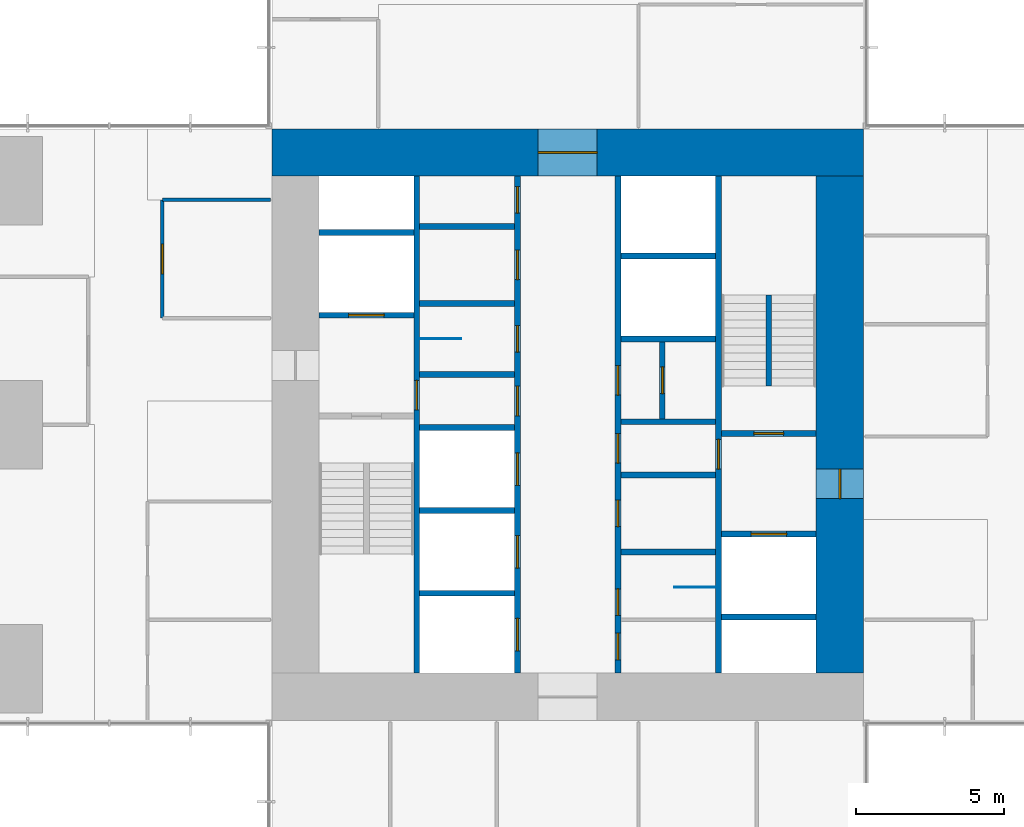
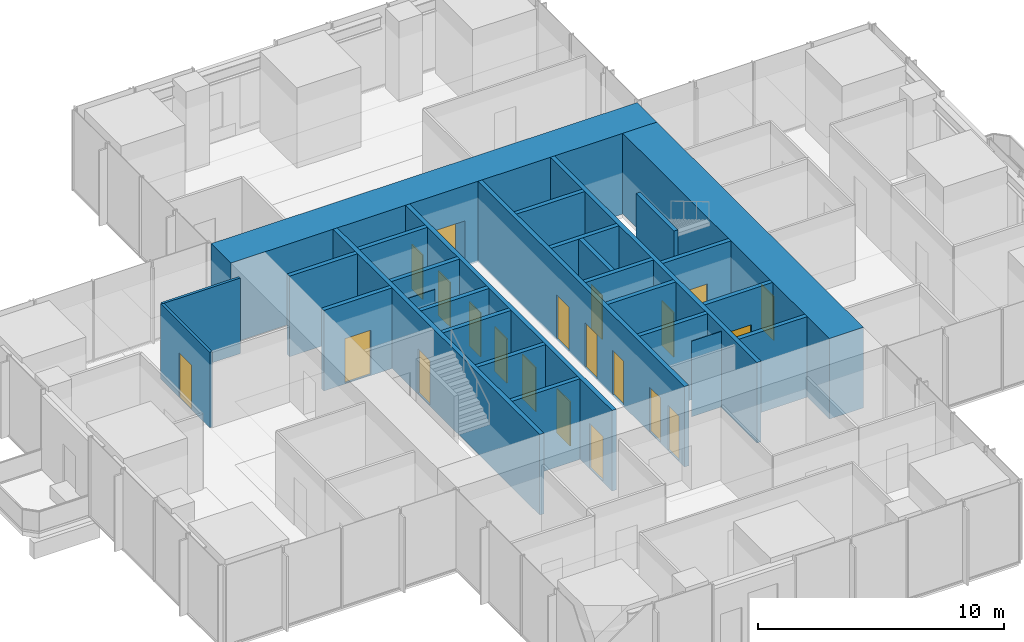
# One storey, part 9 of 13: 28 walls, 21 doors, 21 openings.
"""IFC4 building model written with IfcOpenShell, lengths in metres."""

from ifc_helpers import new_model, si_unit, direction, frame, frame_2d, origin, place, context, subcontext, project, spatial, rectangle, extrude, material, layer, layer_set, type_object, element, fill, save


model = new_model("IFC4")

# Units and contexts
model_context = context("Model", 3, precision=1e-05, world=origin(), true_north=direction((0.0, 1.0)))
body_context = subcontext(model_context, "Body", "Model", "MODEL_VIEW")
ifc_project = project(units=[si_unit("LENGTHUNIT", "METRE"), si_unit("AREAUNIT", "SQUARE_METRE"), si_unit("VOLUMEUNIT", "CUBIC_METRE"), si_unit("PLANEANGLEUNIT", "RADIAN"), si_unit("MASSUNIT", "GRAM", prefix="KILO")], contexts=[model_context])

# Site, building, storey
site_placement = place(None, origin())
site = spatial("IfcSite", under=ifc_project, at=site_placement, CompositionType="ELEMENT")
building_placement = place(site_placement, origin())
building = spatial("IfcBuilding", under=site, at=building_placement, Name="Svetlomir Tower", CompositionType="ELEMENT")
storey_placement = place(building_placement, frame((0.0, 0.0, 148.5)))
storey = spatial("IfcBuildingStorey", under=building, at=storey_placement, Name="L35", CompositionType="ELEMENT", Elevation=148.5)

# Wall, opening, door
ifc_material_1 = material(Name="Concrete C60/75", Category="concrete")
ifc_layer_1 = layer(ifc_material_1, 0.199951171875)
ifc_layer_set_1 = layer_set([ifc_layer_1], Name="Concrete C60/75")
wall_type_1 = type_object("IfcWallType", Name="CORE INNER WALL 200", PredefinedType="SHEAR", material=ifc_layer_set_1)
wall_1_placement = place(storey_placement, frame((15.89990234375, 12.60009765625, -0.050048828125), z_axis=(0.0, 0.0, 1.0), x_axis=(0.0, 1.0, 0.0)))
wall_1 = element("IfcWall", 1, at=wall_1_placement, inside=storey, type_object=wall_type_1, Name="Core inner wall 15.9 L35", PredefinedType="SHEAR", context=body_context, shape_type="SweptSolid", body=[
    extrude(rectangle(XDim=16.7998046875, YDim=0.199951171875, at=frame_2d((8.39990234375, 0.0))), origin(), (0.0, 0.0, 1.0), 4.0),
])
opening_1_placement = place(wall_1_placement, frame((8.89990234375, 0.0, 0.050048828125)))
opening_1 = element("IfcOpeningElement", 2, at=opening_1_placement, cuts=wall_1, Name="Opening DF", PredefinedType="OPENING", context=body_context, shape_type="SweptSolid", body=[
    extrude(rectangle(XDim=1.0, YDim=2.199951171875, at=frame_2d((0.5, 1.10009765625))), frame((0.0, 0.10986328125, 0.0), z_axis=(0.0, -1.0, 0.0), x_axis=(1.0, 0.0, 0.0)), (0.0, 0.0, 1.0), 0.219970703125),
])
ifc_material_2 = material(Name="Steel fire door", Category="steel")
door_type_1 = type_object("IfcDoorType", Name="DOOR DF 1000x2200", OperationType="SINGLE_SWING_LEFT", PredefinedType="DOOR", material=ifc_material_2)
door_1_placement = place(opening_1_placement, origin())
door_1 = element("IfcDoor", 3, at=door_1_placement, inside=storey, type_object=door_type_1, Name="Core corridor west door L35", OperationType="SINGLE_SWING_LEFT", OverallHeight=2.199951171875, OverallWidth=1.0, PredefinedType="DOOR", context=body_context, shape_type="SweptSolid", body=[
    extrude(rectangle(XDim=1.0, YDim=2.199951171875, at=frame_2d((0.5, 1.10009765625))), frame((0.0, 0.02490234375, 0.0), z_axis=(0.0, -1.0, 0.0), x_axis=(1.0, 0.0, 0.0)), (0.0, 0.0, 1.0), 0.050048828125),
])
fill(opening_1, door_1)

# Wall, openings, doors
wall_2_placement = place(storey_placement, frame((19.300048828125, 12.60009765625, -0.050048828125), z_axis=(0.0, 0.0, 1.0), x_axis=(0.0, 1.0, 0.0)))
wall_2 = element("IfcWall", 4, at=wall_2_placement, inside=storey, type_object=wall_type_1, Name="Core inner wall 19.3 L35", PredefinedType="SHEAR", context=body_context, shape_type="SweptSolid", body=[
    extrude(rectangle(XDim=16.7998046875, YDim=0.199951171875, at=frame_2d((8.39990234375, 0.0))), origin(), (0.0, 0.0, 1.0), 4.0),
])
opening_2_placement = place(wall_2_placement, frame((8.699951171875, 0.0, 0.050048828125)))
opening_2 = element("IfcOpeningElement", 5, at=opening_2_placement, cuts=wall_2, Name="Opening DC", PredefinedType="OPENING", context=body_context, shape_type="SweptSolid", body=[
    extrude(rectangle(XDim=1.0, YDim=2.199951171875, at=frame_2d((0.5, 1.10009765625))), frame((0.0, 0.10986328125, 0.0), z_axis=(0.0, -1.0, 0.0), x_axis=(1.0, 0.0, 0.0)), (0.0, 0.0, 1.0), 0.219970703125),
])
opening_3_placement = place(wall_2_placement, frame((10.85009765625, 0.0, 0.050048828125)))
opening_3 = element("IfcOpeningElement", 6, at=opening_3_placement, cuts=wall_2, Name="Opening DW", PredefinedType="OPENING", context=body_context, shape_type="SweptSolid", body=[
    extrude(rectangle(XDim=0.89990234375, YDim=2.199951171875, at=frame_2d((0.449951171875, 1.10009765625))), frame((0.0, 0.10986328125, 0.0), z_axis=(0.0, -1.0, 0.0), x_axis=(1.0, 0.0, 0.0)), (0.0, 0.0, 1.0), 0.219970703125),
])
opening_4_placement = place(wall_2_placement, frame((13.300048828125, 0.0, 0.050048828125)))
opening_4 = element("IfcOpeningElement", 7, at=opening_4_placement, cuts=wall_2, Name="Opening DC", PredefinedType="OPENING", context=body_context, shape_type="SweptSolid", body=[
    extrude(rectangle(XDim=1.0, YDim=2.199951171875, at=frame_2d((0.5, 1.10009765625))), frame((0.0, 0.10986328125, 0.0), z_axis=(0.0, -1.0, 0.0), x_axis=(1.0, 0.0, 0.0)), (0.0, 0.0, 1.0), 0.219970703125),
])
opening_5_placement = place(wall_2_placement, frame((15.550048828125, 0.0, 0.050048828125)))
opening_5 = element("IfcOpeningElement", 8, at=opening_5_placement, cuts=wall_2, Name="Opening DW", PredefinedType="OPENING", context=body_context, shape_type="SweptSolid", body=[
    extrude(rectangle(XDim=0.89990234375, YDim=2.199951171875, at=frame_2d((0.449951171875, 1.10009765625))), frame((0.0, 0.10986328125, 0.0), z_axis=(0.0, -1.0, 0.0), x_axis=(1.0, 0.0, 0.0)), (0.0, 0.0, 1.0), 0.219970703125),
])
opening_6_placement = place(wall_2_placement, frame((0.75, 0.0, 0.050048828125)))
opening_6 = element("IfcOpeningElement", 9, at=opening_6_placement, cuts=wall_2, Name="Opening LD", PredefinedType="OPENING", context=body_context, shape_type="SweptSolid", body=[
    extrude(rectangle(XDim=1.10009765625, YDim=2.199951171875, at=frame_2d((0.550048828125, 1.10009765625))), frame((0.0, 0.10986328125, 0.0), z_axis=(0.0, -1.0, 0.0), x_axis=(1.0, 0.0, 0.0)), (0.0, 0.0, 1.0), 0.219970703125),
])
opening_7_placement = place(wall_2_placement, frame((3.550048828125, 0.0, 0.050048828125)))
opening_7 = element("IfcOpeningElement", 10, at=opening_7_placement, cuts=wall_2, Name="Opening LD", PredefinedType="OPENING", context=body_context, shape_type="SweptSolid", body=[
    extrude(rectangle(XDim=1.10009765625, YDim=2.199951171875, at=frame_2d((0.550048828125, 1.10009765625))), frame((0.0, 0.10986328125, 0.0), z_axis=(0.0, -1.0, 0.0), x_axis=(1.0, 0.0, 0.0)), (0.0, 0.0, 1.0), 0.219970703125),
])
opening_8_placement = place(wall_2_placement, frame((6.35009765625, 0.0, 0.050048828125)))
opening_8 = element("IfcOpeningElement", 11, at=opening_8_placement, cuts=wall_2, Name="Opening LD", PredefinedType="OPENING", context=body_context, shape_type="SweptSolid", body=[
    extrude(rectangle(XDim=1.10009765625, YDim=2.199951171875, at=frame_2d((0.550048828125, 1.10009765625))), frame((0.0, 0.10986328125, 0.0), z_axis=(0.0, -1.0, 0.0), x_axis=(1.0, 0.0, 0.0)), (0.0, 0.0, 1.0), 0.219970703125),
])
ifc_material_3 = material(Name="Timber fire door", Category="wood")
door_type_2 = type_object("IfcDoorType", Name="DOOR DC 1000x2200", OperationType="SINGLE_SWING_LEFT", PredefinedType="DOOR", material=ifc_material_3)
door_2_placement = place(opening_2_placement, origin())
door_2 = element("IfcDoor", 12, at=door_2_placement, inside=storey, type_object=door_type_2, Name="Core corridor west lobby door L35", OperationType="SINGLE_SWING_RIGHT", OverallHeight=2.199951171875, OverallWidth=1.0, PredefinedType="DOOR", context=body_context, shape_type="SweptSolid", body=[
    extrude(rectangle(XDim=1.0, YDim=2.199951171875, at=frame_2d((0.5, 1.10009765625))), frame((0.0, 0.02490234375, 0.0), z_axis=(0.0, -1.0, 0.0), x_axis=(1.0, 0.0, 0.0)), (0.0, 0.0, 1.0), 0.050048828125),
])
fill(opening_2, door_2)
door_3_placement = place(opening_4_placement, origin())
door_3 = element("IfcDoor", 13, at=door_3_placement, inside=storey, type_object=door_type_2, Name="Accessible WC door L35", OperationType="SINGLE_SWING_LEFT", OverallHeight=2.199951171875, OverallWidth=1.0, PredefinedType="DOOR", context=body_context, shape_type="SweptSolid", body=[
    extrude(rectangle(XDim=1.0, YDim=2.199951171875, at=frame_2d((0.5, 1.10009765625))), frame((0.0, 0.02490234375, 0.0), z_axis=(0.0, -1.0, 0.0), x_axis=(1.0, 0.0, 0.0)), (0.0, 0.0, 1.0), 0.050048828125),
])
fill(opening_4, door_3)
ifc_material_4 = material(Name="Timber fire door", Category="wood")
door_type_3 = type_object("IfcDoorType", Name="DOOR DW 900x2200", OperationType="SINGLE_SWING_LEFT", PredefinedType="DOOR", material=ifc_material_4)
door_4_placement = place(opening_3_placement, origin())
door_4 = element("IfcDoor", 14, at=door_4_placement, inside=storey, type_object=door_type_3, Name="Female WC door L35", OperationType="SINGLE_SWING_RIGHT", OverallHeight=2.199951171875, OverallWidth=0.89990234375, PredefinedType="DOOR", context=body_context, shape_type="SweptSolid", body=[
    extrude(rectangle(XDim=0.89990234375, YDim=2.199951171875, at=frame_2d((0.449951171875, 1.10009765625))), frame((0.0, 0.02490234375, 0.0), z_axis=(0.0, -1.0, 0.0), x_axis=(1.0, 0.0, 0.0)), (0.0, 0.0, 1.0), 0.050048828125),
])
fill(opening_3, door_4)
door_5_placement = place(opening_5_placement, origin())
door_5 = element("IfcDoor", 15, at=door_5_placement, inside=storey, type_object=door_type_3, Name="IT floor distributor room door L35", OperationType="SINGLE_SWING_RIGHT", OverallHeight=2.199951171875, OverallWidth=0.89990234375, PredefinedType="DOOR", context=body_context, shape_type="SweptSolid", body=[
    extrude(rectangle(XDim=0.89990234375, YDim=2.199951171875, at=frame_2d((0.449951171875, 1.10009765625))), frame((0.0, 0.02490234375, 0.0), z_axis=(0.0, -1.0, 0.0), x_axis=(1.0, 0.0, 0.0)), (0.0, 0.0, 1.0), 0.050048828125),
])
fill(opening_5, door_5)
ifc_material_5 = material(Name="Stainless steel landing door", Category="steel")
door_type_4 = type_object("IfcDoorType", Name="LIFT LANDING DOOR LD 1100x2200", OperationType="DOUBLE_DOOR_SLIDING", PredefinedType="DOOR", material=ifc_material_5)
door_6_placement = place(opening_6_placement, origin())
door_6 = element("IfcDoor", 16, at=door_6_placement, inside=storey, type_object=door_type_4, Name="Landing door lift LB1 L35", OperationType="DOUBLE_DOOR_SLIDING", OverallHeight=2.199951171875, OverallWidth=1.10009765625, PredefinedType="DOOR", context=body_context, shape_type="SweptSolid", body=[
    extrude(rectangle(XDim=1.10009765625, YDim=2.199951171875, at=frame_2d((0.550048828125, 1.10009765625))), frame((0.0, 0.02490234375, 0.0), z_axis=(0.0, -1.0, 0.0), x_axis=(1.0, 0.0, 0.0)), (0.0, 0.0, 1.0), 0.050048828125),
])
fill(opening_6, door_6)
door_7_placement = place(opening_7_placement, origin())
door_7 = element("IfcDoor", 17, at=door_7_placement, inside=storey, type_object=door_type_4, Name="Landing door lift LB2 L35", OperationType="DOUBLE_DOOR_SLIDING", OverallHeight=2.199951171875, OverallWidth=1.10009765625, PredefinedType="DOOR", context=body_context, shape_type="SweptSolid", body=[
    extrude(rectangle(XDim=1.10009765625, YDim=2.199951171875, at=frame_2d((0.550048828125, 1.10009765625))), frame((0.0, 0.02490234375, 0.0), z_axis=(0.0, -1.0, 0.0), x_axis=(1.0, 0.0, 0.0)), (0.0, 0.0, 1.0), 0.050048828125),
])
fill(opening_7, door_7)
door_8_placement = place(opening_8_placement, origin())
door_8 = element("IfcDoor", 18, at=door_8_placement, inside=storey, type_object=door_type_4, Name="Landing door lift LB3 L35", OperationType="DOUBLE_DOOR_SLIDING", OverallHeight=2.199951171875, OverallWidth=1.10009765625, PredefinedType="DOOR", context=body_context, shape_type="SweptSolid", body=[
    extrude(rectangle(XDim=1.10009765625, YDim=2.199951171875, at=frame_2d((0.550048828125, 1.10009765625))), frame((0.0, 0.02490234375, 0.0), z_axis=(0.0, -1.0, 0.0), x_axis=(1.0, 0.0, 0.0)), (0.0, 0.0, 1.0), 0.050048828125),
])
fill(opening_8, door_8)

wall_3_placement = place(storey_placement, frame((22.699951171875, 12.60009765625, -0.050048828125), z_axis=(0.0, 0.0, 1.0), x_axis=(0.0, 1.0, 0.0)))
wall_3 = element("IfcWall", 19, at=wall_3_placement, inside=storey, type_object=wall_type_1, Name="Core inner wall 22.7 L35", PredefinedType="SHEAR", context=body_context, shape_type="SweptSolid", body=[
    extrude(rectangle(XDim=16.7998046875, YDim=0.199951171875, at=frame_2d((8.39990234375, 0.0))), origin(), (0.0, 0.0, 1.0), 4.0),
])
opening_9_placement = place(wall_3_placement, frame((0.449951171875, 0.0, 0.050048828125)))
opening_9 = element("IfcOpeningElement", 20, at=opening_9_placement, cuts=wall_3, Name="Opening DW", PredefinedType="OPENING", context=body_context, shape_type="SweptSolid", body=[
    extrude(rectangle(XDim=0.89990234375, YDim=2.199951171875, at=frame_2d((0.449951171875, 1.10009765625))), frame((0.0, 0.10986328125, 0.0), z_axis=(0.0, -1.0, 0.0), x_axis=(1.0, 0.0, 0.0)), (0.0, 0.0, 1.0), 0.219970703125),
])
opening_10_placement = place(wall_3_placement, frame((7.10009765625, 0.0, 0.050048828125)))
opening_10 = element("IfcOpeningElement", 21, at=opening_10_placement, cuts=wall_3, Name="Opening DC", PredefinedType="OPENING", context=body_context, shape_type="SweptSolid", body=[
    extrude(rectangle(XDim=1.0, YDim=2.199951171875, at=frame_2d((0.5, 1.10009765625))), frame((0.0, 0.10986328125, 0.0), z_axis=(0.0, -1.0, 0.0), x_axis=(1.0, 0.0, 0.0)), (0.0, 0.0, 1.0), 0.219970703125),
])
opening_11_placement = place(wall_3_placement, frame((1.949951171875, 0.0, 0.050048828125)))
opening_11 = element("IfcOpeningElement", 22, at=opening_11_placement, cuts=wall_3, Name="Opening DW", PredefinedType="OPENING", context=body_context, shape_type="SweptSolid", body=[
    extrude(rectangle(XDim=0.89990234375, YDim=2.199951171875, at=frame_2d((0.449951171875, 1.10009765625))), frame((0.0, 0.10986328125, 0.0), z_axis=(0.0, -1.0, 0.0), x_axis=(1.0, 0.0, 0.0)), (0.0, 0.0, 1.0), 0.219970703125),
])
opening_12_placement = place(wall_3_placement, frame((4.949951171875, 0.0, 0.050048828125)))
opening_12 = element("IfcOpeningElement", 23, at=opening_12_placement, cuts=wall_3, Name="Opening DW", PredefinedType="OPENING", context=body_context, shape_type="SweptSolid", body=[
    extrude(rectangle(XDim=0.89990234375, YDim=2.199951171875, at=frame_2d((0.449951171875, 1.10009765625))), frame((0.0, 0.10986328125, 0.0), z_axis=(0.0, -1.0, 0.0), x_axis=(1.0, 0.0, 0.0)), (0.0, 0.0, 1.0), 0.219970703125),
])
opening_13_placement = place(wall_3_placement, frame((9.39990234375, 0.0, 0.050048828125)))
opening_13 = element("IfcOpeningElement", 24, at=opening_13_placement, cuts=wall_3, Name="Opening DC", PredefinedType="OPENING", context=body_context, shape_type="SweptSolid", body=[
    extrude(rectangle(XDim=1.0, YDim=2.199951171875, at=frame_2d((0.5, 1.10009765625))), frame((0.0, 0.10986328125, 0.0), z_axis=(0.0, -1.0, 0.0), x_axis=(1.0, 0.0, 0.0)), (0.0, 0.0, 1.0), 0.219970703125),
])
door_9_placement = place(opening_10_placement, origin())
door_9 = element("IfcDoor", 25, at=door_9_placement, inside=storey, type_object=door_type_2, Name="Core corridor east lobby door L35", OperationType="SINGLE_SWING_LEFT", OverallHeight=2.199951171875, OverallWidth=1.0, PredefinedType="DOOR", context=body_context, shape_type="SweptSolid", body=[
    extrude(rectangle(XDim=1.0, YDim=2.199951171875, at=frame_2d((0.5, 1.10009765625))), frame((0.0, 0.02490234375, 0.0), z_axis=(0.0, -1.0, 0.0), x_axis=(1.0, 0.0, 0.0)), (0.0, 0.0, 1.0), 0.050048828125),
])
fill(opening_10, door_9)
door_10_placement = place(opening_13_placement, origin())
door_10 = element("IfcDoor", 26, at=door_10_placement, inside=storey, type_object=door_type_2, Name="Converted shaft BANK-E1 room door L35", OperationType="SINGLE_SWING_LEFT", OverallHeight=2.199951171875, OverallWidth=1.0, PredefinedType="DOOR", context=body_context, shape_type="SweptSolid", body=[
    extrude(rectangle(XDim=1.0, YDim=2.199951171875, at=frame_2d((0.5, 1.10009765625))), frame((0.0, 0.02490234375, 0.0), z_axis=(0.0, -1.0, 0.0), x_axis=(1.0, 0.0, 0.0)), (0.0, 0.0, 1.0), 0.050048828125),
])
fill(opening_13, door_10)
door_11_placement = place(opening_9_placement, origin())
door_11 = element("IfcDoor", 27, at=door_11_placement, inside=storey, type_object=door_type_3, Name="Floor store door L35", OperationType="SINGLE_SWING_LEFT", OverallHeight=2.199951171875, OverallWidth=0.89990234375, PredefinedType="DOOR", context=body_context, shape_type="SweptSolid", body=[
    extrude(rectangle(XDim=0.89990234375, YDim=2.199951171875, at=frame_2d((0.449951171875, 1.10009765625))), frame((0.0, 0.02490234375, 0.0), z_axis=(0.0, -1.0, 0.0), x_axis=(1.0, 0.0, 0.0)), (0.0, 0.0, 1.0), 0.050048828125),
])
fill(opening_9, door_11)
door_12_placement = place(opening_11_placement, origin())
door_12 = element("IfcDoor", 28, at=door_12_placement, inside=storey, type_object=door_type_3, Name="Male WC door L35", OperationType="SINGLE_SWING_LEFT", OverallHeight=2.199951171875, OverallWidth=0.89990234375, PredefinedType="DOOR", context=body_context, shape_type="SweptSolid", body=[
    extrude(rectangle(XDim=0.89990234375, YDim=2.199951171875, at=frame_2d((0.449951171875, 1.10009765625))), frame((0.0, 0.02490234375, 0.0), z_axis=(0.0, -1.0, 0.0), x_axis=(1.0, 0.0, 0.0)), (0.0, 0.0, 1.0), 0.050048828125),
])
fill(opening_11, door_12)
door_13_placement = place(opening_12_placement, origin())
door_13 = element("IfcDoor", 29, at=door_13_placement, inside=storey, type_object=door_type_3, Name="Comms room door L35", OperationType="SINGLE_SWING_RIGHT", OverallHeight=2.199951171875, OverallWidth=0.89990234375, PredefinedType="DOOR", context=body_context, shape_type="SweptSolid", body=[
    extrude(rectangle(XDim=0.89990234375, YDim=2.199951171875, at=frame_2d((0.449951171875, 1.10009765625))), frame((0.0, 0.02490234375, 0.0), z_axis=(0.0, -1.0, 0.0), x_axis=(1.0, 0.0, 0.0)), (0.0, 0.0, 1.0), 0.050048828125),
])
fill(opening_12, door_13)

# Wall, opening, door
wall_4_placement = place(storey_placement, frame((26.10009765625, 12.60009765625, -0.050048828125), z_axis=(0.0, 0.0, 1.0), x_axis=(0.0, 1.0, 0.0)))
wall_4 = element("IfcWall", 30, at=wall_4_placement, inside=storey, type_object=wall_type_1, Name="Core inner wall 26.1 L35", PredefinedType="SHEAR", context=body_context, shape_type="SweptSolid", body=[
    extrude(rectangle(XDim=16.7998046875, YDim=0.199951171875, at=frame_2d((8.39990234375, 0.0))), origin(), (0.0, 0.0, 1.0), 4.0),
])
opening_14_placement = place(wall_4_placement, frame((6.89990234375, 0.0, 0.050048828125)))
opening_14 = element("IfcOpeningElement", 31, at=opening_14_placement, cuts=wall_4, Name="Opening DF", PredefinedType="OPENING", context=body_context, shape_type="SweptSolid", body=[
    extrude(rectangle(XDim=1.0, YDim=2.199951171875, at=frame_2d((0.5, 1.10009765625))), frame((0.0, 0.10986328125, 0.0), z_axis=(0.0, -1.0, 0.0), x_axis=(1.0, 0.0, 0.0)), (0.0, 0.0, 1.0), 0.219970703125),
])
door_14_placement = place(opening_14_placement, origin())
door_14 = element("IfcDoor", 32, at=door_14_placement, inside=storey, type_object=door_type_1, Name="Core corridor east door L35", OperationType="SINGLE_SWING_LEFT", OverallHeight=2.199951171875, OverallWidth=1.0, PredefinedType="DOOR", context=body_context, shape_type="SweptSolid", body=[
    extrude(rectangle(XDim=1.0, YDim=2.199951171875, at=frame_2d((0.5, 1.10009765625))), frame((0.0, 0.02490234375, 0.0), z_axis=(0.0, -1.0, 0.0), x_axis=(1.0, 0.0, 0.0)), (0.0, 0.0, 1.0), 0.050048828125),
])
fill(opening_14, door_14)

wall_5_placement = place(storey_placement, frame((12.60009765625, 24.699951171875, -0.050048828125), z_axis=(0.0, 0.0, 1.0), x_axis=(1.0, 0.0, 0.0)))
wall_5 = element("IfcWall", 33, at=wall_5_placement, inside=storey, type_object=wall_type_1, Name="Core inner wall 12.6-15.8/24.7 L35", PredefinedType="SHEAR", context=body_context, shape_type="SweptSolid", body=[
    extrude(rectangle(XDim=3.199951171875, YDim=0.199951171875, at=frame_2d((1.60009765625, 0.0))), origin(), (0.0, 0.0, 1.0), 4.0),
])
opening_15_placement = place(wall_5_placement, frame((1.0, 0.0, 0.050048828125)))
opening_15 = element("IfcOpeningElement", 34, at=opening_15_placement, cuts=wall_5, Name="Opening LD3", PredefinedType="OPENING", context=body_context, shape_type="SweptSolid", body=[
    extrude(rectangle(XDim=1.199951171875, YDim=2.199951171875, at=frame_2d((0.60009765625, 1.10009765625))), frame((0.0, 0.10986328125, 0.0), z_axis=(0.0, -1.0, 0.0), x_axis=(1.0, 0.0, 0.0)), (0.0, 0.0, 1.0), 0.219970703125),
])
ifc_material_6 = material(Name="Stainless steel fire-rated landing door", Category="steel")
door_type_5 = type_object("IfcDoorType", Name="FIREFIGHTING LIFT LANDING DOOR LD3 1200x2200", OperationType="DOUBLE_DOOR_SLIDING", PredefinedType="DOOR", material=ifc_material_6)
door_15_placement = place(opening_15_placement, origin())
door_15 = element("IfcDoor", 35, at=door_15_placement, inside=storey, type_object=door_type_5, Name="Landing door lift FL1 L35", OperationType="DOUBLE_DOOR_SLIDING", OverallHeight=2.199951171875, OverallWidth=1.199951171875, PredefinedType="DOOR", context=body_context, shape_type="SweptSolid", body=[
    extrude(rectangle(XDim=1.199951171875, YDim=2.199951171875, at=frame_2d((0.60009765625, 1.10009765625))), frame((0.0, 0.02490234375, 0.0), z_axis=(0.0, -1.0, 0.0), x_axis=(1.0, 0.0, 0.0)), (0.0, 0.0, 1.0), 0.050048828125),
])
fill(opening_15, door_15)

# Walls
for number, where, z_axis, x_axis, name in (
    (36, (12.60009765625, 27.5, -0.050048828125), (0.0, 0.0, 1.0), (1.0, 0.0, 0.0), "Core inner wall 12.6-15.8/27.5 L35"),
    (37, (16.0, 15.300048828125, -0.050048828125), (0.0, 0.0, 1.0), (1.0, 0.0, 0.0), "Core inner wall 16-19.2/15.3 L35"),
    (38, (16.0, 18.10009765625, -0.050048828125), (0.0, 0.0, 1.0), (1.0, 0.0, 0.0), "Core inner wall 16-19.2/18.1 L35"),
    (39, (16.0, 20.89990234375, -0.050048828125), (0.0, 0.0, 1.0), (1.0, 0.0, 0.0), "Core inner wall 16-19.2/20.9 L35"),
    (40, (16.0, 22.699951171875, -0.050048828125), (0.0, 0.0, 1.0), (1.0, 0.0, 0.0), "Core inner wall 16-19.2/22.7 L35"),
    (41, (16.0, 25.10009765625, -0.050048828125), (0.0, 0.0, 1.0), (1.0, 0.0, 0.0), "Core inner wall 16-19.2/25.1 L35"),
    (42, (16.0, 27.699951171875, -0.050048828125), (0.0, 0.0, 1.0), (1.0, 0.0, 0.0), "Core inner wall 16-19.2/27.7 L35"),
    (43, (22.800048828125, 16.699951171875, -0.050048828125), (0.0, 0.0, 1.0), (1.0, 0.0, 0.0), "Core inner wall 22.8-26/16.7 L35"),
    (44, (22.800048828125, 19.300048828125, -0.050048828125), (0.0, 0.0, 1.0), (1.0, 0.0, 0.0), "Core inner wall 22.8-26/19.3 L35"),
    (45, (22.800048828125, 21.10009765625, -0.050048828125), (0.0, 0.0, 1.0), (1.0, 0.0, 0.0), "Core inner wall 22.8-26/21.1 L35"),
    (46, (22.800048828125, 23.89990234375, -0.050048828125), (0.0, 0.0, 1.0), (1.0, 0.0, 0.0), "Core inner wall 22.8-26/23.9 L35"),
    (47, (22.800048828125, 26.699951171875, -0.050048828125), (0.0, 0.0, 1.0), (1.0, 0.0, 0.0), "Core inner wall 22.8-26/26.7 L35"),
    (48, (26.199951171875, 14.5, -0.050048828125), (0.0, 0.0, 1.0), (1.0, 0.0, 0.0), "Core inner wall 26.2-29.4/14.5 L35"),
):
    element("IfcWall", number, at=place(storey_placement, frame(where, z_axis=z_axis, x_axis=x_axis)), inside=storey, type_object=wall_type_1, Name=name, PredefinedType="SHEAR", context=body_context, shape_type="SweptSolid", body=[
        extrude(rectangle(XDim=3.199951171875, YDim=0.199951171875, at=frame_2d((1.60009765625, 0.0))), origin(), (0.0, 0.0, 1.0), 4.0),
    ])

# Wall, opening, door
wall_6_placement = place(storey_placement, frame((26.199951171875, 17.300048828125, -0.050048828125), z_axis=(0.0, 0.0, 1.0), x_axis=(1.0, 0.0, 0.0)))
wall_6 = element("IfcWall", 49, at=wall_6_placement, inside=storey, type_object=wall_type_1, Name="Core inner wall 26.2-29.4/17.3 L35", PredefinedType="SHEAR", context=body_context, shape_type="SweptSolid", body=[
    extrude(rectangle(XDim=3.199951171875, YDim=0.199951171875, at=frame_2d((1.60009765625, 0.0))), origin(), (0.0, 0.0, 1.0), 4.0),
])
opening_16_placement = place(wall_6_placement, frame((1.0, 0.0, 0.050048828125)))
opening_16 = element("IfcOpeningElement", 50, at=opening_16_placement, cuts=wall_6, Name="Opening LD3", PredefinedType="OPENING", context=body_context, shape_type="SweptSolid", body=[
    extrude(rectangle(XDim=1.199951171875, YDim=2.199951171875, at=frame_2d((0.60009765625, 1.10009765625))), frame((0.0, 0.10986328125, 0.0), z_axis=(0.0, -1.0, 0.0), x_axis=(1.0, 0.0, 0.0)), (0.0, 0.0, 1.0), 0.219970703125),
])
door_16_placement = place(opening_16_placement, origin())
door_16 = element("IfcDoor", 51, at=door_16_placement, inside=storey, type_object=door_type_5, Name="Landing door lift FL2 L35", OperationType="DOUBLE_DOOR_SLIDING", OverallHeight=2.199951171875, OverallWidth=1.199951171875, PredefinedType="DOOR", context=body_context, shape_type="SweptSolid", body=[
    extrude(rectangle(XDim=1.199951171875, YDim=2.199951171875, at=frame_2d((0.60009765625, 1.10009765625))), frame((0.0, 0.02490234375, 0.0), z_axis=(0.0, -1.0, 0.0), x_axis=(1.0, 0.0, 0.0)), (0.0, 0.0, 1.0), 0.050048828125),
])
fill(opening_16, door_16)

wall_7_placement = place(storey_placement, frame((26.199951171875, 20.699951171875, -0.050048828125), z_axis=(0.0, 0.0, 1.0), x_axis=(1.0, 0.0, 0.0)))
wall_7 = element("IfcWall", 52, at=wall_7_placement, inside=storey, type_object=wall_type_1, Name="Core inner wall 26.2-29.4/20.7 L35", PredefinedType="SHEAR", context=body_context, shape_type="SweptSolid", body=[
    extrude(rectangle(XDim=3.199951171875, YDim=0.199951171875, at=frame_2d((1.60009765625, 0.0))), origin(), (0.0, 0.0, 1.0), 4.0),
])
opening_17_placement = place(wall_7_placement, frame((1.10009765625, 0.0, 0.050048828125)))
opening_17 = element("IfcOpeningElement", 53, at=opening_17_placement, cuts=wall_7, Name="Opening DF", PredefinedType="OPENING", context=body_context, shape_type="SweptSolid", body=[
    extrude(rectangle(XDim=1.0, YDim=2.199951171875, at=frame_2d((0.5, 1.10009765625))), frame((0.0, 0.10986328125, 0.0), z_axis=(0.0, -1.0, 0.0), x_axis=(1.0, 0.0, 0.0)), (0.0, 0.0, 1.0), 0.219970703125),
])
door_17_placement = place(opening_17_placement, origin())
door_17 = element("IfcDoor", 54, at=door_17_placement, inside=storey, type_object=door_type_1, Name="Stair S2 door L35", OperationType="SINGLE_SWING_LEFT", OverallHeight=2.199951171875, OverallWidth=1.0, PredefinedType="DOOR", context=body_context, shape_type="SweptSolid", body=[
    extrude(rectangle(XDim=1.0, YDim=2.199951171875, at=frame_2d((0.5, 1.10009765625))), frame((0.0, 0.02490234375, 0.0), z_axis=(0.0, -1.0, 0.0), x_axis=(1.0, 0.0, 0.0)), (0.0, 0.0, 1.0), 0.050048828125),
])
fill(opening_17, door_17)

wall_8_placement = place(storey_placement, frame((24.199951171875, 21.199951171875, -0.050048828125), z_axis=(0.0, 0.0, 1.0), x_axis=(0.0, 1.0, 0.0)))
wall_8 = element("IfcWall", 55, at=wall_8_placement, inside=storey, type_object=wall_type_1, Name="Core inner wall 24.2/21.2-23.8 L35", PredefinedType="SHEAR", context=body_context, shape_type="SweptSolid", body=[
    extrude(rectangle(XDim=2.60009765625, YDim=0.199951171875, at=frame_2d((1.300048828125, 0.0))), origin(), (0.0, 0.0, 1.0), 4.0),
])
opening_18_placement = place(wall_8_placement, frame((0.85009765625, 0.0, 0.050048828125)))
opening_18 = element("IfcOpeningElement", 56, at=opening_18_placement, cuts=wall_8, Name="Opening DW", PredefinedType="OPENING", context=body_context, shape_type="SweptSolid", body=[
    extrude(rectangle(XDim=0.89990234375, YDim=2.199951171875, at=frame_2d((0.449951171875, 1.10009765625))), frame((0.0, 0.10986328125, 0.0), z_axis=(0.0, -1.0, 0.0), x_axis=(1.0, 0.0, 0.0)), (0.0, 0.0, 1.0), 0.219970703125),
])
door_18_placement = place(opening_18_placement, origin())
door_18 = element("IfcDoor", 57, at=door_18_placement, inside=storey, type_object=door_type_3, Name="Converted shaft BANK-E1 back room door L35", OperationType="SINGLE_SWING_RIGHT", OverallHeight=2.199951171875, OverallWidth=0.89990234375, PredefinedType="DOOR", context=body_context, shape_type="SweptSolid", body=[
    extrude(rectangle(XDim=0.89990234375, YDim=2.199951171875, at=frame_2d((0.449951171875, 1.10009765625))), frame((0.0, 0.02490234375, 0.0), z_axis=(0.0, -1.0, 0.0), x_axis=(1.0, 0.0, 0.0)), (0.0, 0.0, 1.0), 0.050048828125),
])
fill(opening_18, door_18)

ifc_material_7 = material(Name="Concrete C60/75", Category="concrete")
ifc_layer_2 = layer(ifc_material_7, 1.60009765625)
ifc_layer_set_2 = layer_set([ifc_layer_2], Name="Concrete C60/75")
wall_type_2 = type_object("IfcWallType", Name="CORE WALL 1600", PredefinedType="SHEAR", material=ifc_layer_set_2)
wall_9_placement = place(storey_placement, frame((11.0, 30.199951171875, -0.050048828125), z_axis=(0.0, 0.0, 1.0), x_axis=(1.0, 0.0, 0.0)))
wall_9 = element("IfcWall", 58, at=wall_9_placement, inside=storey, type_object=wall_type_2, Name="Core wall north L35", PredefinedType="SHEAR", context=body_context, shape_type="SweptSolid", body=[
    extrude(rectangle(XDim=20.0, YDim=1.60009765625, at=frame_2d((10.0, 0.0))), origin(), (0.0, 0.0, 1.0), 4.0),
])
opening_19_placement = place(wall_9_placement, frame((9.0, 0.0, 0.050048828125)))
opening_19 = element("IfcOpeningElement", 59, at=opening_19_placement, cuts=wall_9, Name="Opening DL", PredefinedType="OPENING", context=body_context, shape_type="SweptSolid", body=[
    extrude(rectangle(XDim=2.0, YDim=2.199951171875, at=frame_2d((1.0, 1.10009765625))), frame((0.0, 0.81005859375, 0.0), z_axis=(0.0, -1.0, 0.0), x_axis=(1.0, 0.0, 0.0)), (0.0, 0.0, 1.0), 1.6201171875),
])
ifc_material_8 = material(Name="Steel fire door", Category="steel")
door_type_6 = type_object("IfcDoorType", Name="DOOR DL 2000x2200", OperationType="DOUBLE_DOOR_SINGLE_SWING", PredefinedType="DOOR", material=ifc_material_8)
door_19_placement = place(opening_19_placement, origin())
door_19 = element("IfcDoor", 60, at=door_19_placement, inside=storey, type_object=door_type_6, Name="Lift lobby north door L35", OperationType="DOUBLE_DOOR_SINGLE_SWING", OverallHeight=2.199951171875, OverallWidth=2.0, PredefinedType="DOOR", context=body_context, shape_type="SweptSolid", body=[
    extrude(rectangle(XDim=2.0, YDim=2.199951171875, at=frame_2d((1.0, 1.10009765625))), frame((0.0, 0.02490234375, 0.0), z_axis=(0.0, -1.0, 0.0), x_axis=(1.0, 0.0, 0.0)), (0.0, 0.0, 1.0), 0.050048828125),
])
fill(opening_19, door_19)

wall_10_placement = place(storey_placement, frame((30.199951171875, 12.60009765625, -0.050048828125), z_axis=(0.0, 0.0, 1.0), x_axis=(0.0, 1.0, 0.0)))
wall_10 = element("IfcWall", 61, at=wall_10_placement, inside=storey, type_object=wall_type_2, Name="Core wall east L35", PredefinedType="SHEAR", context=body_context, shape_type="SweptSolid", body=[
    extrude(rectangle(XDim=16.7998046875, YDim=1.60009765625, at=frame_2d((8.39990234375, 0.0))), origin(), (0.0, 0.0, 1.0), 4.0),
])
opening_20_placement = place(wall_10_placement, frame((5.89990234375, 0.0, 0.050048828125)))
opening_20 = element("IfcOpeningElement", 62, at=opening_20_placement, cuts=wall_10, Name="Opening DF", PredefinedType="OPENING", context=body_context, shape_type="SweptSolid", body=[
    extrude(rectangle(XDim=1.0, YDim=2.199951171875, at=frame_2d((0.5, 1.10009765625))), frame((0.0, 0.81005859375, 0.0), z_axis=(0.0, -1.0, 0.0), x_axis=(1.0, 0.0, 0.0)), (0.0, 0.0, 1.0), 1.6201171875),
])
door_20_placement = place(opening_20_placement, origin())
door_20 = element("IfcDoor", 63, at=door_20_placement, inside=storey, type_object=door_type_1, Name="Firefighting lobby east door L35", OperationType="SINGLE_SWING_LEFT", OverallHeight=2.199951171875, OverallWidth=1.0, PredefinedType="DOOR", context=body_context, shape_type="SweptSolid", body=[
    extrude(rectangle(XDim=1.0, YDim=2.199951171875, at=frame_2d((0.5, 1.10009765625))), frame((0.0, 0.02490234375, 0.0), z_axis=(0.0, -1.0, 0.0), x_axis=(1.0, 0.0, 0.0)), (0.0, 0.0, 1.0), 0.050048828125),
])
fill(opening_20, door_20)

ifc_material_9 = material(Name="Gypsum board on steel studs", Category="steel")
ifc_layer_3 = layer(ifc_material_9, 0.1201171875)
ifc_layer_set_3 = layer_set([ifc_layer_3], Name="Gypsum board on steel studs")
wall_type_3 = type_object("IfcWallType", Name="PARTITION 120", PredefinedType="PARTITIONING", material=ifc_layer_set_3)
wall_11_placement = place(storey_placement, frame((7.300048828125, 24.60009765625, 0.0), z_axis=(0.0, 0.0, 1.0), x_axis=(0.0, 1.0, 0.0)))
wall_11 = element("IfcWall", 64, at=wall_11_placement, inside=storey, type_object=wall_type_3, Name="Partition L35", PredefinedType="PARTITIONING", context=body_context, shape_type="SweptSolid", body=[
    extrude(rectangle(XDim=4.0, YDim=0.1201171875, at=frame_2d((2.0, 0.0))), origin(), (0.0, 0.0, 1.0), 3.75),
])
opening_21_placement = place(wall_11_placement, frame((1.5, 0.0, 0.0)))
opening_21 = element("IfcOpeningElement", 65, at=opening_21_placement, cuts=wall_11, Name="Opening DR", PredefinedType="OPENING", context=body_context, shape_type="SweptSolid", body=[
    extrude(rectangle(XDim=1.0, YDim=2.199951171875, at=frame_2d((0.5, 1.10009765625))), frame((0.0, 0.070068359375, 0.0), z_axis=(0.0, -1.0, 0.0), x_axis=(1.0, 0.0, 0.0)), (0.0, 0.0, 1.0), 0.14013671875),
])
ifc_material_10 = material(Name="Timber door, glazed side light", Category="wood")
door_type_7 = type_object("IfcDoorType", Name="DOOR DR 1000x2200", OperationType="SINGLE_SWING_LEFT", PredefinedType="DOOR", material=ifc_material_10)
door_21_placement = place(opening_21_placement, origin())
door_21 = element("IfcDoor", 66, at=door_21_placement, inside=storey, type_object=door_type_7, Name="Records store door L35", OperationType="SINGLE_SWING_LEFT", OverallHeight=2.199951171875, OverallWidth=1.0, PredefinedType="DOOR", context=body_context, shape_type="SweptSolid", body=[
    extrude(rectangle(XDim=1.0, YDim=2.199951171875, at=frame_2d((0.5, 1.10009765625))), frame((0.0, 0.02490234375, 0.0), z_axis=(0.0, -1.0, 0.0), x_axis=(1.0, 0.0, 0.0)), (0.0, 0.0, 1.0), 0.050048828125),
])
fill(opening_21, door_21)

# Walls
wall_12_placement = place(storey_placement, frame((7.300048828125, 28.60009765625, 0.0), z_axis=(0.0, 0.0, 1.0), x_axis=(1.0, 0.0, 0.0)))
element("IfcWall", 67, at=wall_12_placement, inside=storey, type_object=wall_type_3, Name="Partition L35", PredefinedType="PARTITIONING", context=body_context, shape_type="SweptSolid", body=[
    extrude(rectangle(XDim=3.64990234375, YDim=0.1201171875, at=frame_2d((1.824951171875, 0.0))), origin(), (0.0, 0.0, 1.0), 3.75),
])
ifc_material_11 = material(Name="Concrete C60/75", Category="concrete")
ifc_layer_4 = layer(ifc_material_11, 0.199951171875)
ifc_layer_set_4 = layer_set([ifc_layer_4], Name="Concrete C60/75")
wall_type_4 = type_object("IfcWallType", Name="STAIR SPINE WALL 200", PredefinedType="PARTITIONING", material=ifc_layer_set_4)
wall_13_placement = place(storey_placement, frame((27.800048828125, 22.300048828125, 0.0), z_axis=(0.0, 0.0, 1.0), x_axis=(0.0, 1.0, 0.0)))
element("IfcWall", 68, at=wall_13_placement, inside=storey, type_object=wall_type_4, Name="Stair S2 spine wall L35", PredefinedType="PARTITIONING", context=body_context, shape_type="SweptSolid", body=[
    extrude(rectangle(XDim=3.079833984375, YDim=0.199951171875, at=frame_2d((1.5400390625, 0.0))), origin(), (0.0, 0.0, 1.0), 4.0),
])
ifc_material_12 = material(Name="Compact laminate panel", Category="plastic")
ifc_layer_5 = layer(ifc_material_12, 0.030029296875)
ifc_layer_set_5 = layer_set([ifc_layer_5], Name="Compact laminate panel")
wall_type_5 = type_object("IfcWallType", Name="WC CUBICLE PARTITION 30", PredefinedType="PARTITIONING", material=ifc_layer_set_5)
for number, where, z_axis, x_axis, name in (
    (69, (24.60009765625, 15.5, 0.0), (0.0, 0.0, 1.0), (1.0, 0.0, 0.0), "WC cubicle partition L35"),
    (70, (16.0, 23.89990234375, 0.0), (0.0, 0.0, 1.0), (1.0, 0.0, 0.0), "WC cubicle partition L35"),
):
    element("IfcWall", number, at=place(storey_placement, frame(where, z_axis=z_axis, x_axis=x_axis)), inside=storey, type_object=wall_type_5, Name=name, PredefinedType="PARTITIONING", context=body_context, shape_type="SweptSolid", body=[
        extrude(rectangle(XDim=1.39990234375, YDim=0.030029296875, at=frame_2d((0.699951171875, 0.0))), origin(), (0.0, 0.0, 1.0), 3.75),
    ])

save(model, "model.ifc")
